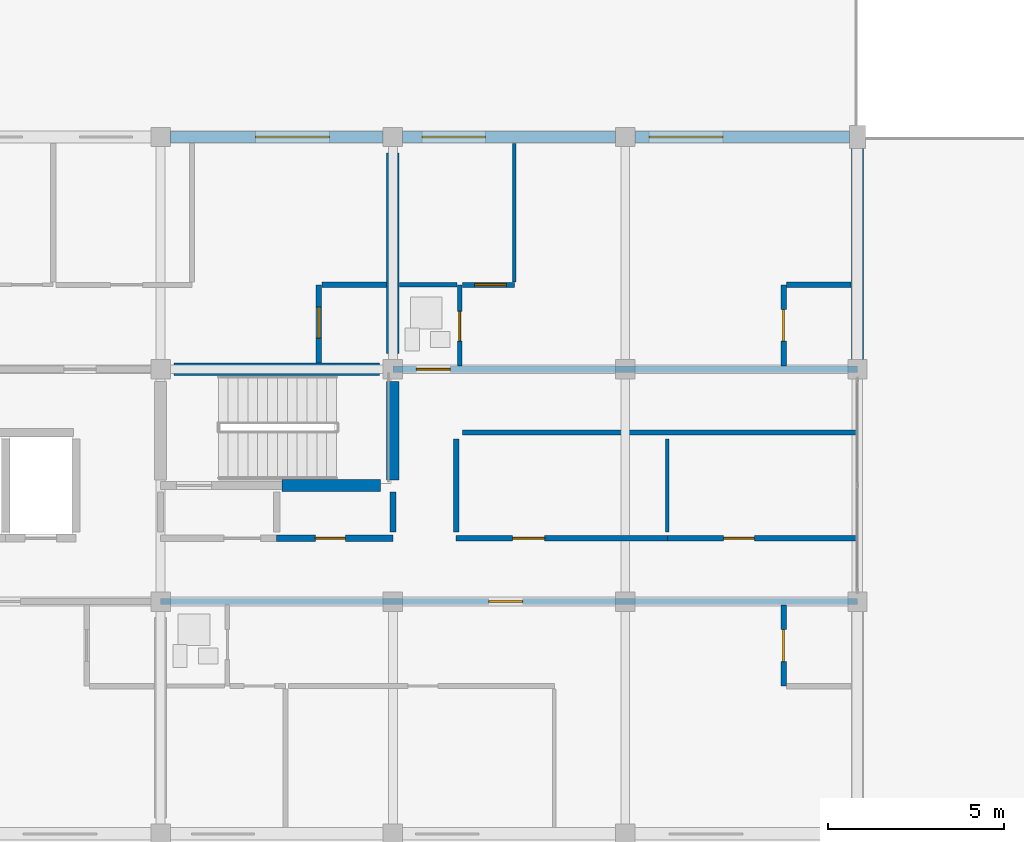
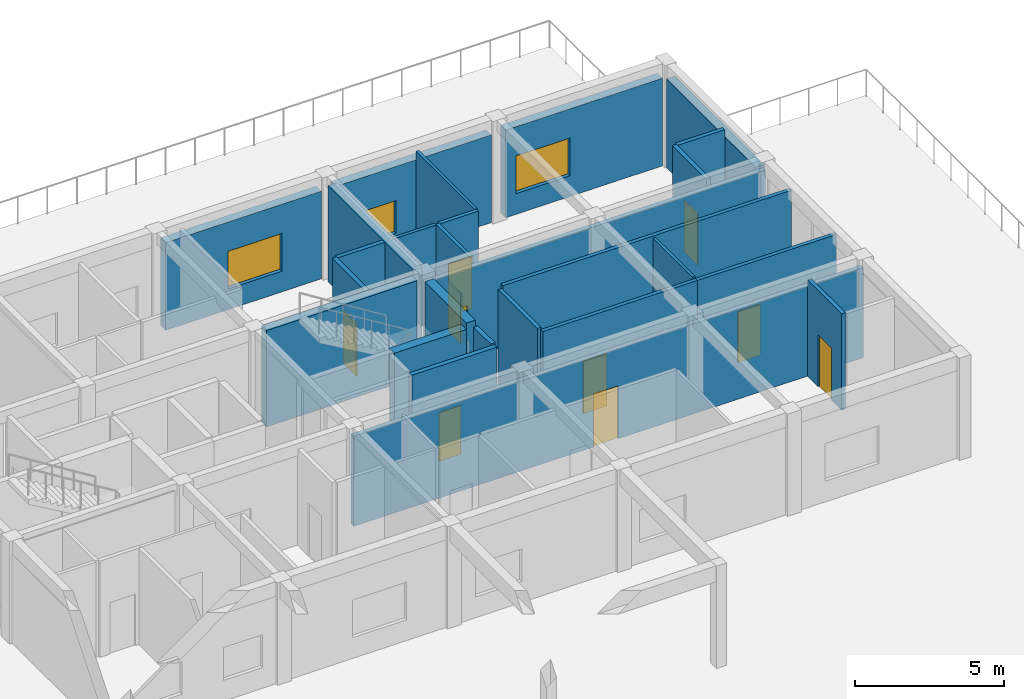
# One storey, part 79 of 92: 26 walls, 10 doors, 3 windows, 13 openings.
"""IFC4 building model written with IfcOpenShell, lengths in metres."""

from ifc_helpers import new_model, si_unit, direction, frame, frame_2d, origin, place, context, subcontext, project, spatial, rectangle, extrude, material, layer, layer_set, type_object, element, fill, save


model = new_model("IFC4")

# Units and contexts
model_context = context("Model", 3, precision=1e-05, world=origin(), true_north=direction((0.0, 1.0)))
body_context = subcontext(model_context, "Body", "Model", "MODEL_VIEW")
ifc_project = project(units=[si_unit("LENGTHUNIT", "METRE"), si_unit("AREAUNIT", "SQUARE_METRE"), si_unit("VOLUMEUNIT", "CUBIC_METRE"), si_unit("PLANEANGLEUNIT", "RADIAN"), si_unit("MASSUNIT", "GRAM", prefix="KILO")], contexts=[model_context])

# Site, building, storey
site_placement = place(None, origin())
site = spatial("IfcSite", under=ifc_project, at=site_placement, CompositionType="ELEMENT")
building_placement = place(site_placement, origin())
building = spatial("IfcBuilding", under=site, at=building_placement, Name="Kernevlak Ridge Housing Community", CompositionType="ELEMENT")
storey_placement = place(building_placement, frame((0.0, 0.0, 4.199951171875)))
storey = spatial("IfcBuildingStorey", under=building, at=storey_placement, Name="L01", CompositionType="ELEMENT", Elevation=4.199951171875)

# Wall, opening, window
ifc_material_1 = material(Name="Concrete block masonry M10", Category="masonry")
ifc_layer_1 = layer(ifc_material_1, 0.340087890625, Name="Concrete block masonry M10")
ifc_layer_set_1 = layer_set([ifc_layer_1], Name="Concrete block masonry M10")
wall_type_1 = type_object("IfcWallType", Name="EW-04", PredefinedType="STANDARD", material=ifc_layer_set_1)
wall_1_placement = place(storey_placement, frame((132.875, 102.39990234375, 0.0), z_axis=(0.0, 0.0, 1.0), x_axis=(1.0, 0.0, 0.0)))
wall_1 = element("IfcWall", 1, at=wall_1_placement, inside=storey, type_object=wall_type_1, Name="Exterior wall EW-04 L01 316", PredefinedType="STANDARD", context=body_context, shape_type="SweptSolid", body=[
    extrude(rectangle(XDim=6.050048828125, YDim=0.340087890625, at=frame_2d((3.02490234375, 0.0))), origin(), (0.0, 0.0, 1.0), 3.60009765625),
])
opening_1_placement = place(wall_1_placement, frame((2.4208984375, 0.0, 0.85009765625)))
opening_1 = element("IfcOpeningElement", 2, at=opening_1_placement, cuts=wall_1, Name="Opening WT-05", PredefinedType="OPENING", context=body_context, shape_type="SweptSolid", body=[
    extrude(rectangle(XDim=2.10009765625, YDim=1.550048828125, at=frame_2d((1.050048828125, 0.77490234375))), frame((0.0, 0.179931640625, 0.0), z_axis=(0.0, -1.0, 0.0), x_axis=(1.0, 0.0, 0.0)), (0.0, 0.0, 1.0), 0.360107421875),
])
ifc_material_2 = material(Name="Aluminium EN AW-6060 anodised and laminated glass", Category="aluminium")
window_type_1 = type_object("IfcWindowType", Name="WT-05", PartitioningType="SINGLE_PANEL", PredefinedType="WINDOW", material=ifc_material_2)
window_1_placement = place(opening_1_placement, origin())
window_1 = element("IfcWindow", 3, at=window_1_placement, inside=storey, type_object=window_type_1, Name="Window WT-05 L01 245", OverallHeight=1.550048828125, OverallWidth=2.10009765625, PartitioningType="SINGLE_PANEL", PredefinedType="WINDOW", context=body_context, shape_type="SweptSolid", body=[
    extrude(rectangle(XDim=2.10009765625, YDim=1.550048828125, at=frame_2d((1.050048828125, 0.77490234375))), frame((0.0, 0.030029296875, 0.0), z_axis=(0.0, -1.0, 0.0), x_axis=(1.0, 0.0, 0.0)), (0.0, 0.0, 1.0), 0.06005859375),
])
fill(opening_1, window_1)

wall_2_placement = place(storey_placement, frame((139.47509765625, 102.39990234375, 0.0), z_axis=(0.0, 0.0, 1.0), x_axis=(1.0, 0.0, 0.0)))
wall_2 = element("IfcWall", 4, at=wall_2_placement, inside=storey, type_object=wall_type_1, Name="Exterior wall EW-04 L01 317", PredefinedType="STANDARD", context=body_context, shape_type="SweptSolid", body=[
    extrude(rectangle(XDim=6.0498046875, YDim=0.340087890625, at=frame_2d((3.02490234375, 0.0))), origin(), (0.0, 0.0, 1.0), 3.60009765625),
])
opening_2_placement = place(wall_2_placement, frame((0.550048828125, 0.0, 0.85009765625)))
opening_2 = element("IfcOpeningElement", 5, at=opening_2_placement, cuts=wall_2, Name="Opening WT-03", PredefinedType="OPENING", context=body_context, shape_type="SweptSolid", body=[
    extrude(rectangle(XDim=1.800048828125, YDim=1.35009765625, at=frame_2d((0.89990234375, 0.675048828125))), frame((0.0, 0.179931640625, 0.0), z_axis=(0.0, -1.0, 0.0), x_axis=(1.0, 0.0, 0.0)), (0.0, 0.0, 1.0), 0.360107421875),
])
window_type_2 = type_object("IfcWindowType", Name="WT-03", PartitioningType="SINGLE_PANEL", PredefinedType="WINDOW", material=ifc_material_2)
window_2_placement = place(opening_2_placement, origin())
window_2 = element("IfcWindow", 6, at=window_2_placement, inside=storey, type_object=window_type_2, Name="Window WT-03 L01 246", OverallHeight=1.35009765625, OverallWidth=1.800048828125, PartitioningType="SINGLE_PANEL", PredefinedType="WINDOW", context=body_context, shape_type="SweptSolid", body=[
    extrude(rectangle(XDim=1.800048828125, YDim=1.35009765625, at=frame_2d((0.89990234375, 0.675048828125))), frame((0.0, 0.030029296875, 0.0), z_axis=(0.0, -1.0, 0.0), x_axis=(1.0, 0.0, 0.0)), (0.0, 0.0, 1.0), 0.06005859375),
])
fill(opening_2, window_2)

wall_3_placement = place(storey_placement, frame((146.074951171875, 102.39990234375, 0.0), z_axis=(0.0, 0.0, 1.0), x_axis=(1.0, 0.0, 0.0)))
wall_3 = element("IfcWall", 7, at=wall_3_placement, inside=storey, type_object=wall_type_1, Name="Exterior wall EW-04 L01 318", PredefinedType="STANDARD", context=body_context, shape_type="SweptSolid", body=[
    extrude(rectangle(XDim=6.10009765625, YDim=0.340087890625, at=frame_2d((3.050048828125, 0.0))), origin(), (0.0, 0.0, 1.0), 3.60009765625),
])
opening_3_placement = place(wall_3_placement, frame((0.39990234375, 0.0, 0.85009765625)))
opening_3 = element("IfcOpeningElement", 8, at=opening_3_placement, cuts=wall_3, Name="Opening WT-05", PredefinedType="OPENING", context=body_context, shape_type="SweptSolid", body=[
    extrude(rectangle(XDim=2.10009765625, YDim=1.550048828125, at=frame_2d((1.050048828125, 0.77490234375))), frame((0.0, 0.179931640625, 0.0), z_axis=(0.0, -1.0, 0.0), x_axis=(1.0, 0.0, 0.0)), (0.0, 0.0, 1.0), 0.360107421875),
])
window_3_placement = place(opening_3_placement, origin())
window_3 = element("IfcWindow", 9, at=window_3_placement, inside=storey, type_object=window_type_1, Name="Window WT-05 L01 247", OverallHeight=1.550048828125, OverallWidth=2.10009765625, PartitioningType="SINGLE_PANEL", PredefinedType="WINDOW", context=body_context, shape_type="SweptSolid", body=[
    extrude(rectangle(XDim=2.10009765625, YDim=1.550048828125, at=frame_2d((1.050048828125, 0.77490234375))), frame((0.0, 0.030029296875, 0.0), z_axis=(0.0, -1.0, 0.0), x_axis=(1.0, 0.0, 0.0)), (0.0, 0.0, 1.0), 0.06005859375),
])
fill(opening_3, window_3)

# Wall
wall_4_placement = place(storey_placement, frame((152.39990234375, 96.074951171875, 0.0), z_axis=(0.0, 0.0, 1.0), x_axis=(0.0, 1.0, 0.0)))
element("IfcWall", 10, at=wall_4_placement, inside=storey, type_object=wall_type_1, Name="Exterior wall EW-04 L01 322", PredefinedType="STANDARD", context=body_context, shape_type="SweptSolid", body=[
    extrude(rectangle(XDim=6.0, YDim=0.340087890625, at=frame_2d((3.0, 0.0))), origin(), (0.0, 0.0, 1.0), 3.650146484375),
])

# Wall, opening, door
ifc_layer_2 = layer(ifc_material_1, 0.175048828125, Name="Concrete block masonry M10")
ifc_layer_set_2 = layer_set([ifc_layer_2], Name="Concrete block masonry M10")
wall_type_2 = type_object("IfcWallType", Name="PW-02", PredefinedType="PARTITIONING", material=ifc_layer_set_2)
wall_5_placement = place(storey_placement, frame((135.89990234375, 91.0, 0.0), z_axis=(0.0, 0.0, 1.0), x_axis=(1.0, 0.0, 0.0)))
wall_5 = element("IfcWall", 11, at=wall_5_placement, inside=storey, type_object=wall_type_2, Name="Interior wall PW-02 WAL-INT-L01-1220", PredefinedType="PARTITIONING", context=body_context, shape_type="SweptSolid", body=[
    extrude(rectangle(XDim=3.300048828125, YDim=0.175048828125, at=frame_2d((1.64990234375, 0.0))), origin(), (0.0, 0.0, 1.0), 3.9599609375),
])
opening_4_placement = place(wall_5_placement, frame((1.10009765625, 0.0, 0.0)))
opening_4 = element("IfcOpeningElement", 12, at=opening_4_placement, cuts=wall_5, Name="Opening D617", PredefinedType="OPENING", context=body_context, shape_type="SweptSolid", body=[
    extrude(rectangle(XDim=0.85009765625, YDim=2.0, at=frame_2d((0.425048828125, 1.0))), frame((0.0, 0.097412109375, 0.0), z_axis=(0.0, -1.0, 0.0), x_axis=(1.0, 0.0, 0.0)), (0.0, 0.0, 1.0), 0.195068359375),
])
ifc_material_3 = material(Name="Fire-rated sheet steel leaf", Category="steel")
door_type_1 = type_object("IfcDoorType", Name="DT-07", OperationType="NOTDEFINED", PredefinedType="DOOR", material=ifc_material_3)
door_1_placement = place(opening_4_placement, origin())
door_1 = element("IfcDoor", 13, at=door_1_placement, inside=storey, type_object=door_type_1, Name="Block B Cleaner store door D617", OperationType="SINGLE_SWING_LEFT", OverallHeight=2.0, OverallWidth=0.85009765625, PredefinedType="DOOR", context=body_context, shape_type="SweptSolid", body=[
    extrude(rectangle(XDim=0.85009765625, YDim=2.0, at=frame_2d((0.425048828125, 1.0))), frame((0.0, 0.02490234375, 0.0), z_axis=(0.0, -1.0, 0.0), x_axis=(1.0, 0.0, 0.0)), (0.0, 0.0, 1.0), 0.050048828125),
])
fill(opening_4, door_1)

# Wall
wall_6_placement = place(storey_placement, frame((139.199951171875, 91.179931640625, 0.0), z_axis=(0.0, 0.0, 1.0), x_axis=(0.0, 1.0, 0.0)))
element("IfcWall", 14, at=wall_6_placement, inside=storey, type_object=wall_type_2, Name="Interior wall PW-02 WAL-INT-L01-1223", PredefinedType="PARTITIONING", context=body_context, shape_type="SweptSolid", body=[
    extrude(rectangle(XDim=1.14013671875, YDim=0.175048828125, at=frame_2d((0.570068359375, 0.0))), origin(), (0.0, 0.0, 1.0), 3.9599609375),
])

# Wall, opening, door
wall_7_placement = place(storey_placement, frame((132.60009765625, 89.199951171875, 0.0), z_axis=(0.0, 0.0, 1.0), x_axis=(1.0, 0.0, 0.0)))
wall_7 = element("IfcWall", 15, at=wall_7_placement, inside=storey, type_object=wall_type_2, Name="Interior wall PW-02 WAL-INT-L01-1238", PredefinedType="PARTITIONING", context=body_context, shape_type="SweptSolid", body=[
    extrude(rectangle(XDim=19.7998046875, YDim=0.175048828125, at=frame_2d((9.89990234375, 0.0))), origin(), (0.0, 0.0, 1.0), 3.699951171875),
])
opening_5_placement = place(wall_7_placement, frame((9.324951171875, 0.0, 0.0)))
opening_5 = element("IfcOpeningElement", 16, at=opening_5_placement, cuts=wall_7, Name="Opening D625", PredefinedType="OPENING", context=body_context, shape_type="SweptSolid", body=[
    extrude(rectangle(XDim=0.9599609375, YDim=2.179931640625, at=frame_2d((0.47998046875, 1.08984375))), frame((0.0, 0.097412109375, 0.0), z_axis=(0.0, -1.0, 0.0), x_axis=(1.0, 0.0, 0.0)), (0.0, 0.0, 1.0), 0.195068359375),
])
ifc_material_4 = material(Name="Hardwood timber solid-core fire leaf", Category="wood")
door_type_2 = type_object("IfcDoorType", Name="DT-29", OperationType="NOTDEFINED", PredefinedType="DOOR", material=ifc_material_4)
door_2_placement = place(opening_5_placement, origin())
door_2 = element("IfcDoor", 17, at=door_2_placement, inside=storey, type_object=door_type_2, Name="Flat B0112 entrance fire door D625", OperationType="SINGLE_SWING_LEFT", OverallHeight=2.179931640625, OverallWidth=0.9599609375, PredefinedType="DOOR", context=body_context, shape_type="SweptSolid", body=[
    extrude(rectangle(XDim=0.9599609375, YDim=2.179931640625, at=frame_2d((0.47998046875, 1.08984375))), frame((0.0, 0.02490234375, 0.0), z_axis=(0.0, -1.0, 0.0), x_axis=(1.0, 0.0, 0.0)), (0.0, 0.0, 1.0), 0.050048828125),
])
fill(opening_5, door_2)

wall_8_placement = place(storey_placement, frame((139.199951171875, 95.800048828125, 0.0), z_axis=(0.0, 0.0, 1.0), x_axis=(1.0, 0.0, 0.0)))
wall_8 = element("IfcWall", 18, at=wall_8_placement, inside=storey, type_object=wall_type_2, Name="Interior wall PW-02 WAL-INT-L01-1260", PredefinedType="PARTITIONING", context=body_context, shape_type="SweptSolid", body=[
    extrude(rectangle(XDim=13.199951171875, YDim=0.175048828125, at=frame_2d((6.60009765625, 0.0))), origin(), (0.0, 0.0, 1.0), 3.699951171875),
])
opening_6_placement = place(wall_8_placement, frame((0.669921875, 0.0, 0.0)))
opening_6 = element("IfcOpeningElement", 19, at=opening_6_placement, cuts=wall_8, Name="Opening D637", PredefinedType="OPENING", context=body_context, shape_type="SweptSolid", body=[
    extrude(rectangle(XDim=0.9599609375, YDim=2.179931640625, at=frame_2d((0.47998046875, 1.08984375))), frame((0.0, 0.097412109375, 0.0), z_axis=(0.0, -1.0, 0.0), x_axis=(1.0, 0.0, 0.0)), (0.0, 0.0, 1.0), 0.195068359375),
])
door_3_placement = place(opening_6_placement, origin())
door_3 = element("IfcDoor", 20, at=door_3_placement, inside=storey, type_object=door_type_2, Name="Flat B0123 entrance fire door D637", OperationType="SINGLE_SWING_LEFT", OverallHeight=2.179931640625, OverallWidth=0.9599609375, PredefinedType="DOOR", context=body_context, shape_type="SweptSolid", body=[
    extrude(rectangle(XDim=0.9599609375, YDim=2.179931640625, at=frame_2d((0.47998046875, 1.08984375))), frame((0.0, 0.02490234375, 0.0), z_axis=(0.0, -1.0, 0.0), x_axis=(1.0, 0.0, 0.0)), (0.0, 0.0, 1.0), 0.050048828125),
])
fill(opening_6, door_3)

ifc_layer_3 = layer(ifc_material_1, 0.14501953125, Name="Concrete block masonry M10")
ifc_layer_set_3 = layer_set([ifc_layer_3], Name="Concrete block masonry M10")
wall_type_3 = type_object("IfcWallType", Name="PW-03", PredefinedType="PARTITIONING", material=ifc_layer_set_3)
wall_9_placement = place(storey_placement, frame((141.0, 91.0, 0.0), z_axis=(0.0, 0.0, 1.0), x_axis=(1.0, 0.0, 0.0)))
wall_9 = element("IfcWall", 21, at=wall_9_placement, inside=storey, type_object=wall_type_3, Name="Interior wall PW-03 WAL-INT-L01-1224", PredefinedType="PARTITIONING", context=body_context, shape_type="SweptSolid", body=[
    extrude(rectangle(XDim=6.0, YDim=0.14501953125, at=frame_2d((3.0, 0.0))), origin(), (0.0, 0.0, 1.0), 3.9599609375),
])
opening_7_placement = place(wall_9_placement, frame((1.60009765625, 0.0, 0.0)))
opening_7 = element("IfcOpeningElement", 22, at=opening_7_placement, cuts=wall_9, Name="Opening D618", PredefinedType="OPENING", context=body_context, shape_type="SweptSolid", body=[
    extrude(rectangle(XDim=0.909912109375, YDim=2.139892578125, at=frame_2d((0.455078125, 1.06982421875))), frame((0.0, 0.08251953125, 0.0), z_axis=(0.0, -1.0, 0.0), x_axis=(1.0, 0.0, 0.0)), (0.0, 0.0, 1.0), 0.1650390625),
])
ifc_material_5 = material(Name="Hardwood timber leaf", Category="wood")
door_type_3 = type_object("IfcDoorType", Name="DT-31", OperationType="NOTDEFINED", PredefinedType="DOOR", material=ifc_material_5)
door_4_placement = place(opening_7_placement, origin())
door_4 = element("IfcDoor", 23, at=door_4_placement, inside=storey, type_object=door_type_3, Name="Block B Laundry room door D618", OperationType="SINGLE_SWING_RIGHT", OverallHeight=2.139892578125, OverallWidth=0.909912109375, PredefinedType="DOOR", context=body_context, shape_type="SweptSolid", body=[
    extrude(rectangle(XDim=0.909912109375, YDim=2.139892578125, at=frame_2d((0.455078125, 1.06982421875))), frame((0.0, 0.02490234375, 0.0), z_axis=(0.0, -1.0, 0.0), x_axis=(1.0, 0.0, 0.0)), (0.0, 0.0, 1.0), 0.050048828125),
])
fill(opening_7, door_4)

wall_10_placement = place(storey_placement, frame((147.0, 91.0, 0.0), z_axis=(0.0, 0.0, 1.0), x_axis=(1.0, 0.0, 0.0)))
wall_10 = element("IfcWall", 24, at=wall_10_placement, inside=storey, type_object=wall_type_3, Name="Interior wall PW-03 WAL-INT-L01-1225", PredefinedType="PARTITIONING", context=body_context, shape_type="SweptSolid", body=[
    extrude(rectangle(XDim=5.39990234375, YDim=0.14501953125, at=frame_2d((2.699951171875, 0.0))), origin(), (0.0, 0.0, 1.0), 3.9599609375),
])
opening_8_placement = place(wall_10_placement, frame((1.60009765625, 0.0, 0.0)))
opening_8 = element("IfcOpeningElement", 25, at=opening_8_placement, cuts=wall_10, Name="Opening D619", PredefinedType="OPENING", context=body_context, shape_type="SweptSolid", body=[
    extrude(rectangle(XDim=0.8701171875, YDim=2.080078125, at=frame_2d((0.43505859375, 1.0400390625))), frame((0.0, 0.08251953125, 0.0), z_axis=(0.0, -1.0, 0.0), x_axis=(1.0, 0.0, 0.0)), (0.0, 0.0, 1.0), 0.1650390625),
])
door_type_4 = type_object("IfcDoorType", Name="DT-32", OperationType="NOTDEFINED", PredefinedType="DOOR", material=ifc_material_5)
door_5_placement = place(opening_8_placement, origin())
door_5 = element("IfcDoor", 26, at=door_5_placement, inside=storey, type_object=door_type_4, Name="Block B Study room door D619", OperationType="SINGLE_SWING_LEFT", OverallHeight=2.080078125, OverallWidth=0.8701171875, PredefinedType="DOOR", context=body_context, shape_type="SweptSolid", body=[
    extrude(rectangle(XDim=0.8701171875, YDim=2.080078125, at=frame_2d((0.43505859375, 1.0400390625))), frame((0.0, 0.02490234375, 0.0), z_axis=(0.0, -1.0, 0.0), x_axis=(1.0, 0.0, 0.0)), (0.0, 0.0, 1.0), 0.050048828125),
])
fill(opening_8, door_5)

# Walls
wall_11_placement = place(storey_placement, frame((141.179931640625, 94.0, 0.0), z_axis=(0.0, 0.0, 1.0), x_axis=(1.0, 0.0, 0.0)))
element("IfcWall", 27, at=wall_11_placement, inside=storey, type_object=wall_type_3, Name="Interior wall PW-03 WAL-INT-L01-1227", PredefinedType="PARTITIONING", context=body_context, shape_type="SweptSolid", body=[
    extrude(rectangle(XDim=11.199951171875, YDim=0.14501953125, at=frame_2d((5.60009765625, 0.0))), origin(), (0.0, 0.0, 1.0), 3.9599609375),
])
wall_12_placement = place(storey_placement, frame((141.0, 91.179931640625, 0.0), z_axis=(0.0, 0.0, 1.0), x_axis=(0.0, 1.0, 0.0)))
element("IfcWall", 28, at=wall_12_placement, inside=storey, type_object=wall_type_3, Name="Interior wall PW-03 WAL-INT-L01-1228", PredefinedType="PARTITIONING", context=body_context, shape_type="SweptSolid", body=[
    extrude(rectangle(XDim=2.64013671875, YDim=0.14501953125, at=frame_2d((1.320068359375, 0.0))), origin(), (0.0, 0.0, 1.0), 3.9599609375),
])

# Wall, opening, door
wall_13_placement = place(storey_placement, frame((141.172607421875, 98.199951171875, 0.0), z_axis=(0.0, 0.0, 1.0), x_axis=(1.0, 0.0, 0.0)))
wall_13 = element("IfcWall", 29, at=wall_13_placement, inside=storey, type_object=wall_type_3, Name="Interior wall PW-03 WAL-INT-L01-1265", PredefinedType="PARTITIONING", context=body_context, shape_type="SweptSolid", body=[
    extrude(rectangle(XDim=1.477294921875, YDim=0.14501953125, at=frame_2d((0.73876953125, 0.0))), origin(), (0.0, 0.0, 1.0), 3.9599609375),
])
opening_9_placement = place(wall_13_placement, frame((0.35009765625, 0.0, 0.0)))
opening_9 = element("IfcOpeningElement", 30, at=opening_9_placement, cuts=wall_13, Name="Opening D640", PredefinedType="OPENING", context=body_context, shape_type="SweptSolid", body=[
    extrude(rectangle(XDim=0.89990234375, YDim=2.159912109375, at=frame_2d((0.449951171875, 1.080078125))), frame((0.0, 0.08251953125, 0.0), z_axis=(0.0, -1.0, 0.0), x_axis=(1.0, 0.0, 0.0)), (0.0, 0.0, 1.0), 0.1650390625),
])
door_type_5 = type_object("IfcDoorType", Name="DT-22", OperationType="NOTDEFINED", PredefinedType="DOOR", material=ifc_material_5)
door_6_placement = place(opening_9_placement, origin())
door_6 = element("IfcDoor", 31, at=door_6_placement, inside=storey, type_object=door_type_5, Name="Flat B0123 bedroom door D640", OperationType="SINGLE_SWING_RIGHT", OverallHeight=2.159912109375, OverallWidth=0.89990234375, PredefinedType="DOOR", context=body_context, shape_type="SweptSolid", body=[
    extrude(rectangle(XDim=0.89990234375, YDim=2.159912109375, at=frame_2d((0.449951171875, 1.080078125))), frame((0.0, 0.02490234375, 0.0), z_axis=(0.0, -1.0, 0.0), x_axis=(1.0, 0.0, 0.0)), (0.0, 0.0, 1.0), 0.050048828125),
])
fill(opening_9, door_6)

ifc_material_6 = material(Name="Gypsum plasterboard EN 520", Category="gypsum")
ifc_layer_4 = layer(ifc_material_6, 0.125, Name="Gypsum plasterboard EN 520")
ifc_layer_set_4 = layer_set([ifc_layer_4], Name="Gypsum plasterboard EN 520")
wall_type_4 = type_object("IfcWallType", Name="PW-04", PredefinedType="PARTITIONING", material=ifc_layer_set_4)
wall_14_placement = place(storey_placement, frame((141.10009765625, 95.8974609375, 0.0), z_axis=(0.0, 0.0, 1.0), x_axis=(0.0, 1.0, 0.0)))
wall_14 = element("IfcWall", 32, at=wall_14_placement, inside=storey, type_object=wall_type_4, Name="Interior wall PW-04 WAL-INT-L01-1261", PredefinedType="PARTITIONING", context=body_context, shape_type="SweptSolid", body=[
    extrude(rectangle(XDim=2.302490234375, YDim=0.125, at=frame_2d((1.1513671875, 0.0))), origin(), (0.0, 0.0, 1.0), 3.9599609375),
])
opening_10_placement = place(wall_14_placement, frame((0.699951171875, 0.0, 0.0)))
opening_10 = element("IfcOpeningElement", 33, at=opening_10_placement, cuts=wall_14, Name="Opening D638", PredefinedType="OPENING", context=body_context, shape_type="SweptSolid", body=[
    extrude(rectangle(XDim=0.85009765625, YDim=2.0400390625, at=frame_2d((0.425048828125, 1.02001953125))), frame((0.0, 0.072509765625, 0.0), z_axis=(0.0, -1.0, 0.0), x_axis=(1.0, 0.0, 0.0)), (0.0, 0.0, 1.0), 0.14501953125),
])
ifc_material_7 = material(Name="Hardwood timber moisture-resistant leaf", Category="wood")
door_type_6 = type_object("IfcDoorType", Name="DT-04", OperationType="NOTDEFINED", PredefinedType="DOOR", material=ifc_material_7)
door_7_placement = place(opening_10_placement, origin())
door_7 = element("IfcDoor", 34, at=door_7_placement, inside=storey, type_object=door_type_6, Name="Flat B0123 bathroom door D638", OperationType="SINGLE_SWING_RIGHT", OverallHeight=2.0400390625, OverallWidth=0.85009765625, PredefinedType="DOOR", context=body_context, shape_type="SweptSolid", body=[
    extrude(rectangle(XDim=0.85009765625, YDim=2.0400390625, at=frame_2d((0.425048828125, 1.02001953125))), frame((0.0, 0.02490234375, 0.0), z_axis=(0.0, -1.0, 0.0), x_axis=(1.0, 0.0, 0.0)), (0.0, 0.0, 1.0), 0.050048828125),
])
fill(opening_10, door_7)

# Wall
wall_15_placement = place(storey_placement, frame((139.385009765625, 98.199951171875, 0.0), z_axis=(0.0, 0.0, 1.0), x_axis=(1.0, 0.0, 0.0)))
element("IfcWall", 35, at=wall_15_placement, inside=storey, type_object=wall_type_4, Name="Interior wall PW-04 WAL-INT-L01-1262", PredefinedType="PARTITIONING", context=body_context, shape_type="SweptSolid", body=[
    extrude(rectangle(XDim=1.635009765625, YDim=0.125, at=frame_2d((0.8173828125, 0.0))), origin(), (0.0, 0.0, 1.0), 3.9599609375),
])

# Wall, opening, door
ifc_layer_5 = layer(ifc_material_6, 0.155029296875, Name="Gypsum plasterboard EN 520")
ifc_layer_set_5 = layer_set([ifc_layer_5], Name="Gypsum plasterboard EN 520")
wall_type_5 = type_object("IfcWallType", Name="PW-05", PredefinedType="PARTITIONING", material=ifc_layer_set_5)
wall_16_placement = place(storey_placement, frame((150.300048828125, 89.1025390625, 0.0), z_axis=(0.0, 0.0, 1.0), x_axis=(0.0, -1.0, 0.0)))
wall_16 = element("IfcWall", 36, at=wall_16_placement, inside=storey, type_object=wall_type_5, Name="Interior wall PW-05 WAL-INT-L01-1241", PredefinedType="PARTITIONING", context=body_context, shape_type="SweptSolid", body=[
    extrude(rectangle(XDim=2.302490234375, YDim=0.155029296875, at=frame_2d((1.1513671875, 0.0))), origin(), (0.0, 0.0, 1.0), 3.9599609375),
])
opening_11_placement = place(wall_16_placement, frame((0.699951171875, 0.0, 0.0)))
opening_11 = element("IfcOpeningElement", 37, at=opening_11_placement, cuts=wall_16, Name="Opening D627", PredefinedType="OPENING", context=body_context, shape_type="SweptSolid", body=[
    extrude(rectangle(XDim=0.909912109375, YDim=2.139892578125, at=frame_2d((0.455078125, 1.06982421875))), frame((0.0, 0.08740234375, 0.0), z_axis=(0.0, -1.0, 0.0), x_axis=(1.0, 0.0, 0.0)), (0.0, 0.0, 1.0), 0.175048828125),
])
door_8_placement = place(opening_11_placement, origin())
door_8 = element("IfcDoor", 38, at=door_8_placement, inside=storey, type_object=door_type_3, Name="Flat B0112 kitchen door D627", OperationType="SINGLE_SWING_LEFT", OverallHeight=2.139892578125, OverallWidth=0.909912109375, PredefinedType="DOOR", context=body_context, shape_type="SweptSolid", body=[
    extrude(rectangle(XDim=0.909912109375, YDim=2.139892578125, at=frame_2d((0.455078125, 1.06982421875))), frame((0.0, 0.02490234375, 0.0), z_axis=(0.0, -1.0, 0.0), x_axis=(1.0, 0.0, 0.0)), (0.0, 0.0, 1.0), 0.050048828125),
])
fill(opening_11, door_8)

wall_17_placement = place(storey_placement, frame((137.10009765625, 95.985107421875, 0.0), z_axis=(0.0, 0.0, 1.0), x_axis=(0.0, 1.0, 0.0)))
wall_17 = element("IfcWall", 39, at=wall_17_placement, inside=storey, type_object=wall_type_5, Name="Interior wall PW-05 WAL-INT-L01-1254", PredefinedType="PARTITIONING", context=body_context, shape_type="SweptSolid", body=[
    extrude(rectangle(XDim=2.21484375, YDim=0.155029296875, at=frame_2d((1.107421875, 0.0))), origin(), (0.0, 0.0, 1.0), 3.9599609375),
])
opening_12_placement = place(wall_17_placement, frame((0.699951171875, 0.0, 0.0)))
opening_12 = element("IfcOpeningElement", 40, at=opening_12_placement, cuts=wall_17, Name="Opening D634", PredefinedType="OPENING", context=body_context, shape_type="SweptSolid", body=[
    extrude(rectangle(XDim=0.8798828125, YDim=2.159912109375, at=frame_2d((0.43994140625, 1.080078125))), frame((0.0, 0.08740234375, 0.0), z_axis=(0.0, -1.0, 0.0), x_axis=(1.0, 0.0, 0.0)), (0.0, 0.0, 1.0), 0.175048828125),
])
door_type_7 = type_object("IfcDoorType", Name="DT-26", OperationType="NOTDEFINED", PredefinedType="DOOR", material=ifc_material_5)
door_9_placement = place(opening_12_placement, origin())
door_9 = element("IfcDoor", 41, at=door_9_placement, inside=storey, type_object=door_type_7, Name="Flat B0122 kitchen door D634", OperationType="SINGLE_SWING_RIGHT", OverallHeight=2.159912109375, OverallWidth=0.8798828125, PredefinedType="DOOR", context=body_context, shape_type="SweptSolid", body=[
    extrude(rectangle(XDim=0.8798828125, YDim=2.159912109375, at=frame_2d((0.43994140625, 1.080078125))), frame((0.0, 0.02490234375, 0.0), z_axis=(0.0, -1.0, 0.0), x_axis=(1.0, 0.0, 0.0)), (0.0, 0.0, 1.0), 0.050048828125),
])
fill(opening_12, door_9)

# Wall
wall_18_placement = place(storey_placement, frame((137.1875, 98.199951171875, 0.0), z_axis=(0.0, 0.0, 1.0), x_axis=(1.0, 0.0, 0.0)))
element("IfcWall", 42, at=wall_18_placement, inside=storey, type_object=wall_type_5, Name="Interior wall PW-05 WAL-INT-L01-1255", PredefinedType="PARTITIONING", context=body_context, shape_type="SweptSolid", body=[
    extrude(rectangle(XDim=1.827392578125, YDim=0.155029296875, at=frame_2d((0.91357421875, 0.0))), origin(), (0.0, 0.0, 1.0), 3.9599609375),
])

# Wall, opening, door
wall_19_placement = place(storey_placement, frame((150.300048828125, 95.8974609375, 0.0), z_axis=(0.0, 0.0, 1.0), x_axis=(0.0, 1.0, 0.0)))
wall_19 = element("IfcWall", 43, at=wall_19_placement, inside=storey, type_object=wall_type_5, Name="Interior wall PW-05 WAL-INT-L01-1263", PredefinedType="PARTITIONING", context=body_context, shape_type="SweptSolid", body=[
    extrude(rectangle(XDim=2.302490234375, YDim=0.155029296875, at=frame_2d((1.1513671875, 0.0))), origin(), (0.0, 0.0, 1.0), 3.9599609375),
])
opening_13_placement = place(wall_19_placement, frame((0.699951171875, 0.0, 0.0)))
opening_13 = element("IfcOpeningElement", 44, at=opening_13_placement, cuts=wall_19, Name="Opening D639", PredefinedType="OPENING", context=body_context, shape_type="SweptSolid", body=[
    extrude(rectangle(XDim=0.89990234375, YDim=2.10009765625, at=frame_2d((0.449951171875, 1.050048828125))), frame((0.0, 0.08740234375, 0.0), z_axis=(0.0, -1.0, 0.0), x_axis=(1.0, 0.0, 0.0)), (0.0, 0.0, 1.0), 0.175048828125),
])
door_type_8 = type_object("IfcDoorType", Name="DT-21", OperationType="NOTDEFINED", PredefinedType="DOOR", material=ifc_material_5)
door_10_placement = place(opening_13_placement, origin())
door_10 = element("IfcDoor", 45, at=door_10_placement, inside=storey, type_object=door_type_8, Name="Flat B0123 kitchen door D639", OperationType="SINGLE_SWING_LEFT", OverallHeight=2.10009765625, OverallWidth=0.89990234375, PredefinedType="DOOR", context=body_context, shape_type="SweptSolid", body=[
    extrude(rectangle(XDim=0.89990234375, YDim=2.10009765625, at=frame_2d((0.449951171875, 1.050048828125))), frame((0.0, 0.02490234375, 0.0), z_axis=(0.0, -1.0, 0.0), x_axis=(1.0, 0.0, 0.0)), (0.0, 0.0, 1.0), 0.050048828125),
])
fill(opening_13, door_10)

# Walls
wall_20_placement = place(storey_placement, frame((150.387451171875, 98.199951171875, 0.0), z_axis=(0.0, 0.0, 1.0), x_axis=(1.0, 0.0, 0.0)))
element("IfcWall", 46, at=wall_20_placement, inside=storey, type_object=wall_type_5, Name="Interior wall PW-05 WAL-INT-L01-1264", PredefinedType="PARTITIONING", context=body_context, shape_type="SweptSolid", body=[
    extrude(rectangle(XDim=1.83251953125, YDim=0.155029296875, at=frame_2d((0.916259765625, 0.0))), origin(), (0.0, 0.0, 1.0), 3.9599609375),
])
ifc_layer_6 = layer(ifc_material_6, 0.10498046875, Name="Gypsum plasterboard EN 520")
ifc_layer_set_6 = layer_set([ifc_layer_6], Name="Gypsum plasterboard EN 520")
wall_type_6 = type_object("IfcWallType", Name="PW-06", PredefinedType="PARTITIONING", material=ifc_layer_set_6)
wall_21_placement = place(storey_placement, frame((147.0, 91.179931640625, 0.0), z_axis=(0.0, 0.0, 1.0), x_axis=(0.0, 1.0, 0.0)))
element("IfcWall", 47, at=wall_21_placement, inside=storey, type_object=wall_type_6, Name="Interior wall PW-06 WAL-INT-L01-1226", PredefinedType="PARTITIONING", context=body_context, shape_type="SweptSolid", body=[
    extrude(rectangle(XDim=2.64013671875, YDim=0.10498046875, at=frame_2d((1.320068359375, 0.0))), origin(), (0.0, 0.0, 1.0), 3.9599609375),
])
wall_22_placement = place(storey_placement, frame((142.64990234375, 98.282470703125, 0.0), z_axis=(0.0, 0.0, 1.0), x_axis=(0.0, 1.0, 0.0)))
element("IfcWall", 48, at=wall_22_placement, inside=storey, type_object=wall_type_6, Name="Interior wall PW-06 WAL-INT-L01-1266", PredefinedType="PARTITIONING", context=body_context, shape_type="SweptSolid", body=[
    extrude(rectangle(XDim=3.9375, YDim=0.10498046875, at=frame_2d((1.96875, 0.0))), origin(), (0.0, 0.0, 1.0), 3.9599609375),
])
ifc_material_8 = material(Name="Concrete C40/50", Category="concrete")
ifc_layer_7 = layer(ifc_material_8, 0.35009765625, Name="Concrete C40/50")
ifc_layer_set_7 = layer_set([ifc_layer_7], Name="Concrete C40/50")
wall_type_7 = type_object("IfcWallType", Name="SW-01", PredefinedType="SHEAR", material=ifc_layer_set_7)
wall_23_placement = place(storey_placement, frame((132.97998046875, 95.800048828125, 0.0), z_axis=(0.0, 0.0, 1.0), x_axis=(1.0, 0.0, 0.0)))
element("IfcWall", 49, at=wall_23_placement, inside=storey, type_object=wall_type_7, Name="Shear wall SW-01 Block B L01 224", PredefinedType="SHEAR", context=body_context, shape_type="SweptSolid", body=[
    extrude(rectangle(XDim=5.840087890625, YDim=0.35009765625, at=frame_2d((2.919921875, 0.0))), origin(), (0.0, 0.0, 1.0), 3.9599609375),
])
for number, where, z_axis, x_axis, name in (
    (50, (136.050048828125, 92.5, 0.0), (0.0, 0.0, 1.0), (1.0, 0.0, 0.0), "Shear wall SW-01 Block B L01 225"),
    (51, (139.199951171875, 92.64990234375, 0.0), (0.0, 0.0, 1.0), (0.0, 1.0, 0.0), "Shear wall SW-01 Block B L01 227"),
):
    element("IfcWall", number, at=place(storey_placement, frame(where, z_axis=z_axis, x_axis=x_axis)), inside=storey, type_object=wall_type_7, Name=name, PredefinedType="SHEAR", context=body_context, shape_type="SweptSolid", body=[
        extrude(rectangle(XDim=2.800048828125, YDim=0.35009765625, at=frame_2d((1.39990234375, 0.0))), origin(), (0.0, 0.0, 1.0), 3.9599609375),
    ])
wall_24_placement = place(storey_placement, frame((139.199951171875, 96.25, 0.0), z_axis=(0.0, 0.0, 1.0), x_axis=(0.0, 1.0, 0.0)))
element("IfcWall", 52, at=wall_24_placement, inside=storey, type_object=wall_type_7, Name="Shear wall SW-01 Block B L01 230", PredefinedType="SHEAR", context=body_context, shape_type="SweptSolid", body=[
    extrude(rectangle(XDim=5.699951171875, YDim=0.35009765625, at=frame_2d((2.85009765625, 0.0))), origin(), (0.0, 0.0, 1.0), 3.9599609375),
])

save(model, "model.ifc")
